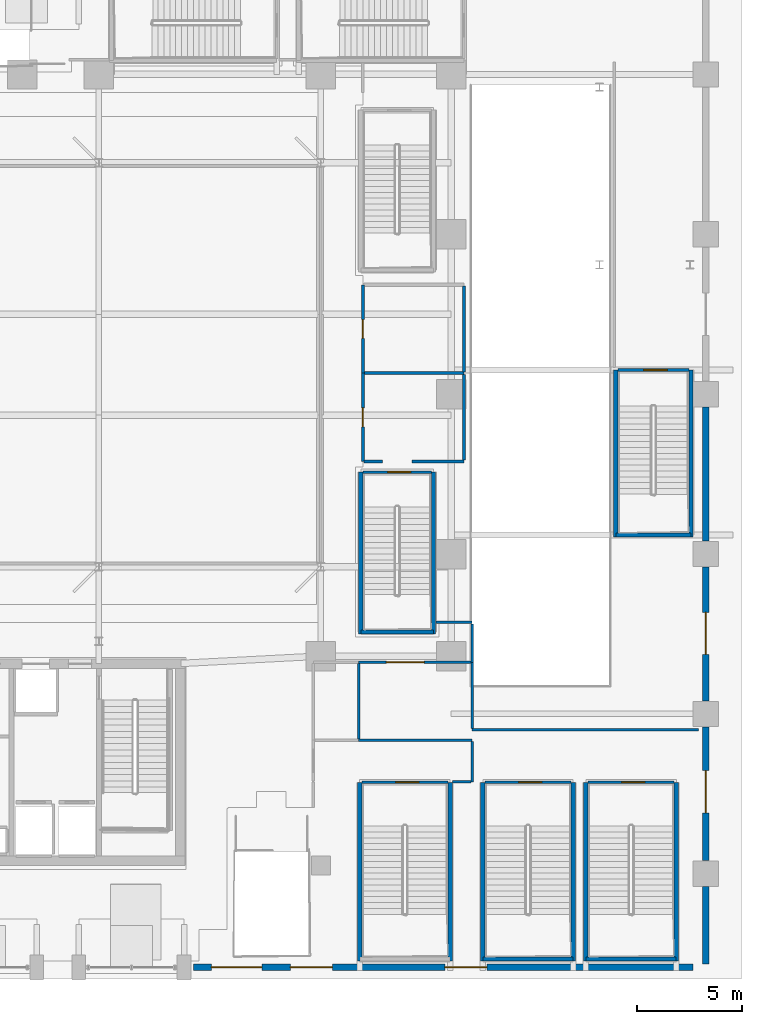
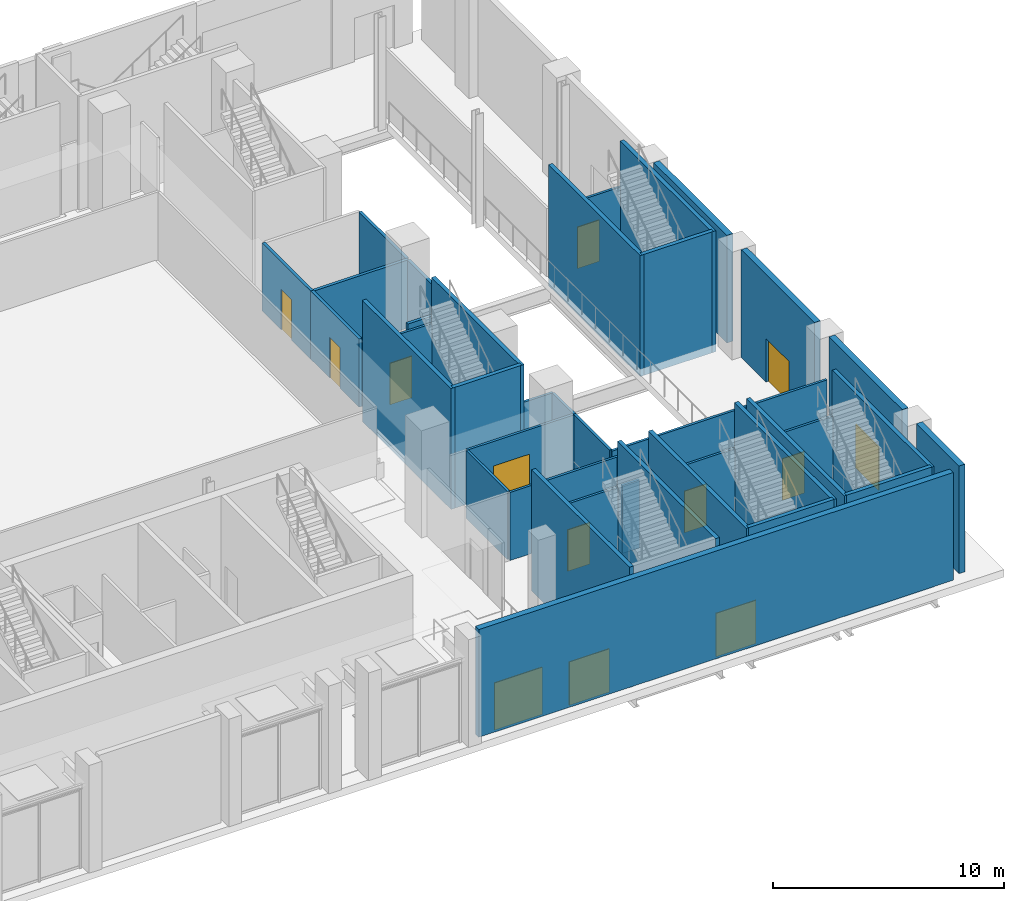
# One storey, part 22 of 36: 40 walls, 13 doors, 13 openings.
"""IFC4 building model written with IfcOpenShell, lengths in metres."""

from ifc_helpers import new_model, si_unit, direction, frame, frame_2d, origin, place, context, subcontext, project, spatial, rectangle, extrude, material, layer, layer_set, type_object, element, fill, save


model = new_model("IFC4")

# Units and contexts
model_context = context("Model", 3, precision=1e-05, world=origin(), true_north=direction((0.0, 1.0)))
body_context = subcontext(model_context, "Body", "Model", "MODEL_VIEW")
ifc_project = project(units=[si_unit("LENGTHUNIT", "METRE"), si_unit("AREAUNIT", "SQUARE_METRE"), si_unit("VOLUMEUNIT", "CUBIC_METRE"), si_unit("PLANEANGLEUNIT", "RADIAN"), si_unit("MASSUNIT", "GRAM", prefix="KILO")], contexts=[model_context])

# Site, building, storey
site_placement = place(None, origin())
site = spatial("IfcSite", under=ifc_project, at=site_placement, CompositionType="ELEMENT")
building_placement = place(site_placement, origin())
building = spatial("IfcBuilding", under=site, at=building_placement, Name="Ndaravel Arena Tower", CompositionType="ELEMENT")
storey_placement = place(building_placement, origin())
storey = spatial("IfcBuildingStorey", under=building, at=storey_placement, Name="L00", CompositionType="ELEMENT", Elevation=0.0)

# Walls
ifc_material_1 = material(Name="Gypsum", Category="gypsum")
ifc_layer_1 = layer(ifc_material_1, 0.125)
ifc_layer_set_1 = layer_set([ifc_layer_1], Name="Gypsum")
wall_type_1 = type_object("IfcWallType", Name="WALL-PART-125", PredefinedType="PARTITIONING", material=ifc_layer_set_1)
wall_1_placement = place(storey_placement, frame((69.47998046875, 16.949951171875, 0.0), z_axis=(0.0, 0.0, 1.0), x_axis=(1.0, 0.0, 0.0)))
element("IfcWall", 1, at=wall_1_placement, inside=storey, type_object=wall_type_1, Name="L00 Interior Partition 021", PredefinedType="PARTITIONING", context=body_context, shape_type="SweptSolid", body=[
    extrude(rectangle(XDim=1.719970703125, YDim=0.125, at=frame_2d((0.85986328125, 0.0))), origin(), (0.0, 0.0, 1.0), 3.60009765625),
])
wall_2_placement = place(storey_placement, frame((71.199951171875, 16.885009765625, 0.0), z_axis=(0.0, 0.0, 1.0), x_axis=(0.0, -1.0, 0.0)))
element("IfcWall", 2, at=wall_2_placement, inside=storey, type_object=wall_type_1, Name="L00 Interior Partition 022", PredefinedType="PARTITIONING", context=body_context, shape_type="SweptSolid", body=[
    extrude(rectangle(XDim=1.8349609375, YDim=0.125, at=frame_2d((0.91748046875, 0.0))), origin(), (0.0, 0.0, 1.0), 3.60009765625),
])

# Wall, opening, door
wall_3_placement = place(storey_placement, frame((71.135009765625, 15.050048828125, 0.0), z_axis=(0.0, 0.0, 1.0), x_axis=(-1.0, 0.0, 0.0)))
wall_3 = element("IfcWall", 3, at=wall_3_placement, inside=storey, type_object=wall_type_1, Name="L00 Interior Partition 023", PredefinedType="PARTITIONING", context=body_context, shape_type="SweptSolid", body=[
    extrude(rectangle(XDim=5.3349609375, YDim=0.125, at=frame_2d((2.66748046875, 0.0))), origin(), (0.0, 0.0, 1.0), 3.60009765625),
])
opening_1_placement = place(wall_3_placement, frame((2.217529296875, 0.0, 0.0)))
opening_1 = element("IfcOpeningElement", 4, at=opening_1_placement, cuts=wall_3, Name="Opening AD-01", PredefinedType="OPENING", context=body_context, shape_type="SweptSolid", body=[
    extrude(rectangle(XDim=1.800048828125, YDim=2.300048828125, at=frame_2d((0.89990234375, 1.14990234375))), frame((0.0, 0.0625, 0.0), z_axis=(0.0, -1.0, 0.0), x_axis=(1.0, 0.0, 0.0)), (0.0, 0.0, 1.0), 0.125),
])
ifc_material_2 = material(Name="Steel S355", Category="steel")
door_type_1 = type_object("IfcDoorType", Name="DT-10-ARENA-1800", OperationType="DOUBLE_DOOR_SINGLE_SWING", PredefinedType="DOOR", material=ifc_material_2)
door_1_placement = place(opening_1_placement, origin())
door_1 = element("IfcDoor", 5, at=door_1_placement, inside=storey, type_object=door_type_1, Name="L00 Arena Box Office & Accreditation Hall Door", OperationType="SINGLE_SWING_LEFT", OverallHeight=2.300048828125, OverallWidth=1.800048828125, PredefinedType="DOOR", context=body_context, shape_type="SweptSolid", body=[
    extrude(rectangle(XDim=1.800048828125, YDim=2.300048828125, at=frame_2d((0.89990234375, 1.14990234375))), frame((0.0, 0.02490234375, 0.0), z_axis=(0.0, -1.0, 0.0), x_axis=(1.0, 0.0, 0.0)), (0.0, 0.0, 1.0), 0.050048828125),
])
fill(opening_1, door_1)

# Walls
wall_4_placement = place(storey_placement, frame((65.800048828125, 11.35009765625, 0.0), z_axis=(0.0, 0.0, 1.0), x_axis=(1.0, 0.0, 0.0)))
element("IfcWall", 6, at=wall_4_placement, inside=storey, type_object=wall_type_1, Name="L00 Interior Partition 035", PredefinedType="PARTITIONING", context=body_context, shape_type="SweptSolid", body=[
    extrude(rectangle(XDim=5.39990234375, YDim=0.125, at=frame_2d((2.699951171875, 0.0))), origin(), (0.0, 0.0, 1.0), 3.60009765625),
])
wall_5_placement = place(storey_placement, frame((71.199951171875, 11.284912109375, 0.0), z_axis=(0.0, 0.0, 1.0), x_axis=(0.0, -1.0, 0.0)))
element("IfcWall", 7, at=wall_5_placement, inside=storey, type_object=wall_type_1, Name="L00 Interior Partition 036", PredefinedType="PARTITIONING", context=body_context, shape_type="SweptSolid", body=[
    extrude(rectangle(XDim=1.914794921875, YDim=0.125, at=frame_2d((0.95751953125, 0.0))), origin(), (0.0, 0.0, 1.0), 3.60009765625),
])
wall_6_placement = place(storey_placement, frame((71.135009765625, 9.3701171875, 0.0), z_axis=(0.0, 0.0, 1.0), x_axis=(-1.0, 0.0, 0.0)))
element("IfcWall", 8, at=wall_6_placement, inside=storey, type_object=wall_type_1, Name="L00 Interior Partition 037", PredefinedType="PARTITIONING", context=body_context, shape_type="SweptSolid", body=[
    extrude(rectangle(XDim=0.864990234375, YDim=0.125, at=frame_2d((0.4326171875, 0.0))), origin(), (0.0, 0.0, 1.0), 3.60009765625),
])
wall_7_placement = place(storey_placement, frame((71.199951171875, 11.85009765625, 0.0), z_axis=(0.0, 0.0, 1.0), x_axis=(1.0, 0.0, 0.0)))
element("IfcWall", 9, at=wall_7_placement, inside=storey, type_object=wall_type_1, Name="L00 Interior Partition 038", PredefinedType="PARTITIONING", context=body_context, shape_type="SweptSolid", body=[
    extrude(rectangle(XDim=10.75, YDim=0.125, at=frame_2d((5.375, 0.0))), origin(), (0.0, 0.0, 1.0), 3.60009765625),
])
wall_8_placement = place(storey_placement, frame((65.800048828125, 11.4150390625, 0.0), z_axis=(0.0, 0.0, 1.0), x_axis=(0.0, 1.0, 0.0)))
element("IfcWall", 10, at=wall_8_placement, inside=storey, type_object=wall_type_1, Name="L00 Interior Partition 048", PredefinedType="PARTITIONING", context=body_context, shape_type="SweptSolid", body=[
    extrude(rectangle(XDim=3.570068359375, YDim=0.125, at=frame_2d((1.78515625, 0.0))), origin(), (0.0, 0.0, 1.0), 3.60009765625),
])
wall_9_placement = place(storey_placement, frame((71.199951171875, 15.050048828125, 0.0), z_axis=(0.0, 0.0, 1.0), x_axis=(0.0, -1.0, 0.0)))
element("IfcWall", 11, at=wall_9_placement, inside=storey, type_object=wall_type_1, Name="L00 Interior Partition 049", PredefinedType="PARTITIONING", context=body_context, shape_type="SweptSolid", body=[
    extrude(rectangle(XDim=3.135009765625, YDim=0.125, at=frame_2d((1.5673828125, 0.0))), origin(), (0.0, 0.0, 1.0), 3.60009765625),
])

# Wall, openings, doors
ifc_material_3 = material(Name="Masonry", Category="masonry")
ifc_layer_2 = layer(ifc_material_3, 0.300048828125)
ifc_layer_set_2 = layer_set([ifc_layer_2], Name="Masonry")
wall_type_2 = type_object("IfcWallType", Name="WALL-POD-MAZERAS-300", PredefinedType="SOLIDWALL", material=ifc_layer_set_2)
wall_10_placement = place(storey_placement, frame((81.699951171875, 0.550048828125, 0.0), z_axis=(0.0, 0.0, 1.0), x_axis=(-1.0, 0.0, 0.0)))
wall_10 = element("IfcWall", 12, at=wall_10_placement, inside=storey, type_object=wall_type_2, Name="L00 South-East Mazeras Stone Wall", PredefinedType="SOLIDWALL", context=body_context, shape_type="SweptSolid", body=[
    extrude(rectangle(XDim=23.75, YDim=0.300048828125, at=frame_2d((11.875, 0.0))), origin(), (0.0, 0.0, 1.0), 5.699951171875),
])
opening_2_placement = place(wall_10_placement, frame((20.5, 0.0, 0.0)))
opening_2 = element("IfcOpeningElement", 13, at=opening_2_placement, cuts=wall_10, Name="Opening ED-02", PredefinedType="OPENING", context=body_context, shape_type="SweptSolid", body=[
    extrude(rectangle(XDim=2.39990234375, YDim=2.5, at=frame_2d((1.199951171875, 1.25))), frame((0.0, 0.14990234375, 0.0), z_axis=(0.0, -1.0, 0.0), x_axis=(1.0, 0.0, 0.0)), (0.0, 0.0, 1.0), 0.300048828125),
])
opening_3_placement = place(wall_10_placement, frame((17.14990234375, 0.0, 0.0)))
opening_3 = element("IfcOpeningElement", 14, at=opening_3_placement, cuts=wall_10, Name="Opening ED-04", PredefinedType="OPENING", context=body_context, shape_type="SweptSolid", body=[
    extrude(rectangle(XDim=2.0, YDim=2.300048828125, at=frame_2d((1.0, 1.14990234375))), frame((0.0, 0.14990234375, 0.0), z_axis=(0.0, -1.0, 0.0), x_axis=(1.0, 0.0, 0.0)), (0.0, 0.0, 1.0), 0.300048828125),
])
opening_4_placement = place(wall_10_placement, frame((9.800048828125, 0.0, 0.0)))
opening_4 = element("IfcOpeningElement", 15, at=opening_4_placement, cuts=wall_10, Name="Opening ED-04", PredefinedType="OPENING", context=body_context, shape_type="SweptSolid", body=[
    extrude(rectangle(XDim=2.0, YDim=2.300048828125, at=frame_2d((1.0, 1.14990234375))), frame((0.0, 0.14990234375, 0.0), z_axis=(0.0, -1.0, 0.0), x_axis=(1.0, 0.0, 0.0)), (0.0, 0.0, 1.0), 0.300048828125),
])
ifc_material_4 = material(Name="Aluminium", Category="aluminium")
door_type_2 = type_object("IfcDoorType", Name="ED-ARENA-2400", OperationType="DOUBLE_DOOR_SINGLE_SWING", PredefinedType="DOOR", material=ifc_material_4)
door_2_placement = place(opening_2_placement, origin())
door_2 = element("IfcDoor", 16, at=door_2_placement, inside=storey, type_object=door_type_2, Name="Fire Command & East Concourse Entrance", OperationType="DOUBLE_DOOR_SINGLE_SWING", OverallHeight=2.5, OverallWidth=2.39990234375, PredefinedType="DOOR", context=body_context, shape_type="SweptSolid", body=[
    extrude(rectangle(XDim=2.39990234375, YDim=2.5, at=frame_2d((1.199951171875, 1.25))), frame((0.0, 0.02490234375, 0.0), z_axis=(0.0, -1.0, 0.0), x_axis=(1.0, 0.0, 0.0)), (0.0, 0.0, 1.0), 0.050048828125),
])
fill(opening_2, door_2)
ifc_material_5 = material(Name="Aluminium", Category="aluminium")
door_type_3 = type_object("IfcDoorType", Name="ED-EXIT-2000", OperationType="DOUBLE_DOOR_SINGLE_SWING", PredefinedType="DOOR", material=ifc_material_5)
door_3_placement = place(opening_3_placement, origin())
door_3 = element("IfcDoor", 17, at=door_3_placement, inside=storey, type_object=door_type_3, Name="South-East Concourse Exit Discharge", OperationType="DOUBLE_DOOR_SINGLE_SWING", OverallHeight=2.300048828125, OverallWidth=2.0, PredefinedType="DOOR", context=body_context, shape_type="SweptSolid", body=[
    extrude(rectangle(XDim=2.0, YDim=2.300048828125, at=frame_2d((1.0, 1.14990234375))), frame((0.0, 0.02490234375, 0.0), z_axis=(0.0, -1.0, 0.0), x_axis=(1.0, 0.0, 0.0)), (0.0, 0.0, 1.0), 0.050048828125),
])
fill(opening_3, door_3)
door_4_placement = place(opening_4_placement, origin())
door_4 = element("IfcDoor", 18, at=door_4_placement, inside=storey, type_object=door_type_3, Name="Protected Exit Passageway ST-A04 Final Discharge", OperationType="DOUBLE_DOOR_SINGLE_SWING", OverallHeight=2.300048828125, OverallWidth=2.0, PredefinedType="DOOR", context=body_context, shape_type="SweptSolid", body=[
    extrude(rectangle(XDim=2.0, YDim=2.300048828125, at=frame_2d((1.0, 1.14990234375))), frame((0.0, 0.02490234375, 0.0), z_axis=(0.0, -1.0, 0.0), x_axis=(1.0, 0.0, 0.0)), (0.0, 0.0, 1.0), 0.050048828125),
])
fill(opening_4, door_4)

# Wall
wall_11_placement = place(storey_placement, frame((82.300048828125, 4.39990234375, 0.0), z_axis=(0.0, 0.0, 1.0), x_axis=(0.0, -1.0, 0.0)))
element("IfcWall", 19, at=wall_11_placement, inside=storey, type_object=wall_type_2, Name="L00 East Mazeras Bay 1", PredefinedType="SOLIDWALL", context=body_context, shape_type="SweptSolid", body=[
    extrude(rectangle(XDim=3.699951171875, YDim=0.300048828125, at=frame_2d((1.85009765625, 0.0))), origin(), (0.0, 0.0, 1.0), 5.699951171875),
])

# Wall, opening, door
wall_12_placement = place(storey_placement, frame((82.300048828125, 11.97998046875, 0.0), z_axis=(0.0, 0.0, 1.0), x_axis=(0.0, -1.0, 0.0)))
wall_12 = element("IfcWall", 20, at=wall_12_placement, inside=storey, type_object=wall_type_2, Name="L00 East Mazeras Bay 2", PredefinedType="SOLIDWALL", context=body_context, shape_type="SweptSolid", body=[
    extrude(rectangle(XDim=6.35986328125, YDim=0.300048828125, at=frame_2d((3.179931640625, 0.0))), origin(), (0.0, 0.0, 1.0), 5.699951171875),
])
opening_5_placement = place(wall_12_placement, frame((2.080078125, 0.0, 0.0)))
opening_5 = element("IfcOpeningElement", 21, at=opening_5_placement, cuts=wall_12, Name="Opening ED-04", PredefinedType="OPENING", context=body_context, shape_type="SweptSolid", body=[
    extrude(rectangle(XDim=2.0, YDim=2.300048828125, at=frame_2d((1.0, 1.14990234375))), frame((0.0, 0.14990234375, 0.0), z_axis=(0.0, -1.0, 0.0), x_axis=(1.0, 0.0, 0.0)), (0.0, 0.0, 1.0), 0.300048828125),
])
door_5_placement = place(opening_5_placement, origin())
door_5 = element("IfcDoor", 22, at=door_5_placement, inside=storey, type_object=door_type_3, Name="Protected Passageway ST-A05 and ST-A06 Final Exit Door", OperationType="DOUBLE_DOOR_SINGLE_SWING", OverallHeight=2.300048828125, OverallWidth=2.0, PredefinedType="DOOR", context=body_context, shape_type="SweptSolid", body=[
    extrude(rectangle(XDim=2.0, YDim=2.300048828125, at=frame_2d((1.0, 1.14990234375))), frame((0.0, 0.02490234375, 0.0), z_axis=(0.0, -1.0, 0.0), x_axis=(1.0, 0.0, 0.0)), (0.0, 0.0, 1.0), 0.050048828125),
])
fill(opening_5, door_5)

wall_13_placement = place(storey_placement, frame((82.300048828125, 19.580078125, 0.0), z_axis=(0.0, 0.0, 1.0), x_axis=(0.0, -1.0, 0.0)))
wall_13 = element("IfcWall", 23, at=wall_13_placement, inside=storey, type_object=wall_type_2, Name="L00 East Mazeras Bay 3", PredefinedType="SOLIDWALL", context=body_context, shape_type="SweptSolid", body=[
    extrude(rectangle(XDim=6.360107421875, YDim=0.300048828125, at=frame_2d((3.18017578125, 0.0))), origin(), (0.0, 0.0, 1.0), 5.699951171875),
])
opening_6_placement = place(wall_13_placement, frame((2.14990234375, 0.0, 0.0)))
opening_6 = element("IfcOpeningElement", 24, at=opening_6_placement, cuts=wall_13, Name="Opening ED-04", PredefinedType="OPENING", context=body_context, shape_type="SweptSolid", body=[
    extrude(rectangle(XDim=2.0, YDim=2.300048828125, at=frame_2d((1.0, 1.14990234375))), frame((0.0, 0.14990234375, 0.0), z_axis=(0.0, -1.0, 0.0), x_axis=(1.0, 0.0, 0.0)), (0.0, 0.0, 1.0), 0.300048828125),
])
door_6_placement = place(opening_6_placement, origin())
door_6 = element("IfcDoor", 25, at=door_6_placement, inside=storey, type_object=door_type_3, Name="East Concourse Street Exit Door", OperationType="DOUBLE_DOOR_SINGLE_SWING", OverallHeight=2.300048828125, OverallWidth=2.0, PredefinedType="DOOR", context=body_context, shape_type="SweptSolid", body=[
    extrude(rectangle(XDim=2.0, YDim=2.300048828125, at=frame_2d((1.0, 1.14990234375))), frame((0.0, 0.02490234375, 0.0), z_axis=(0.0, -1.0, 0.0), x_axis=(1.0, 0.0, 0.0)), (0.0, 0.0, 1.0), 0.050048828125),
])
fill(opening_6, door_6)

# Wall
wall_14_placement = place(storey_placement, frame((82.300048828125, 27.179931640625, 0.0), z_axis=(0.0, 0.0, 1.0), x_axis=(0.0, -1.0, 0.0)))
element("IfcWall", 26, at=wall_14_placement, inside=storey, type_object=wall_type_2, Name="L00 East Mazeras Bay 4", PredefinedType="SOLIDWALL", context=body_context, shape_type="SweptSolid", body=[
    extrude(rectangle(XDim=6.35986328125, YDim=0.300048828125, at=frame_2d((3.179931640625, 0.0))), origin(), (0.0, 0.0, 1.0), 5.699951171875),
])

# Wall, opening, door
ifc_material_6 = material(Name="Concrete C40/50", Category="concrete")
ifc_layer_3 = layer(ifc_material_6, 0.1201171875)
ifc_layer_set_3 = layer_set([ifc_layer_3], Name="Concrete C40/50")
wall_type_3 = type_object("IfcWallType", Name="WALL-SHAFT-120", PredefinedType="SOLIDWALL", material=ifc_layer_set_3)
wall_15_placement = place(storey_placement, frame((65.955078125, 9.35009765625, 0.0), z_axis=(0.0, 0.0, 1.0), x_axis=(1.0, 0.0, 0.0)))
wall_15 = element("IfcWall", 27, at=wall_15_placement, inside=storey, type_object=wall_type_3, Name="L00 ST-A04 Entry Wall", PredefinedType="SOLIDWALL", context=body_context, shape_type="SweptSolid", body=[
    extrude(rectangle(XDim=4.08984375, YDim=0.1201171875, at=frame_2d((2.044921875, 0.0))), origin(), (0.0, 0.0, 1.0), 3.60009765625),
])
opening_7_placement = place(wall_15_placement, frame((1.60009765625, 0.0, 0.0)))
opening_7 = element("IfcOpeningElement", 28, at=opening_7_placement, cuts=wall_15, Name="Opening FD-01", PredefinedType="OPENING", context=body_context, shape_type="SweptSolid", body=[
    extrude(rectangle(XDim=1.10009765625, YDim=2.199951171875, at=frame_2d((0.550048828125, 1.10009765625))), frame((0.0, 0.06005859375, 0.0), z_axis=(0.0, -1.0, 0.0), x_axis=(1.0, 0.0, 0.0)), (0.0, 0.0, 1.0), 0.1201171875),
])
ifc_material_7 = material(Name="Steel S355", Category="steel")
door_type_4 = type_object("IfcDoorType", Name="DT-01-STAIR-1100", OperationType="SINGLE_SWING_LEFT", PredefinedType="DOOR", material=ifc_material_7)
door_7_placement = place(opening_7_placement, origin())
door_7 = element("IfcDoor", 29, at=door_7_placement, inside=storey, type_object=door_type_4, Name="L00 ST-A04 Fire Exit Stair Door", OperationType="SINGLE_SWING_LEFT", OverallHeight=2.199951171875, OverallWidth=1.10009765625, PredefinedType="DOOR", context=body_context, shape_type="SweptSolid", body=[
    extrude(rectangle(XDim=1.10009765625, YDim=2.199951171875, at=frame_2d((0.550048828125, 1.10009765625))), frame((0.0, 0.02490234375, 0.0), z_axis=(0.0, -1.0, 0.0), x_axis=(1.0, 0.0, 0.0)), (0.0, 0.0, 1.0), 0.050048828125),
])
fill(opening_7, door_7)

wall_16_placement = place(storey_placement, frame((71.804931640625, 9.35009765625, 0.0), z_axis=(0.0, 0.0, 1.0), x_axis=(1.0, 0.0, 0.0)))
wall_16 = element("IfcWall", 30, at=wall_16_placement, inside=storey, type_object=wall_type_3, Name="L00 ST-A05 Entry Wall", PredefinedType="SOLIDWALL", context=body_context, shape_type="SweptSolid", body=[
    extrude(rectangle(XDim=4.090087890625, YDim=0.1201171875, at=frame_2d((2.044921875, 0.0))), origin(), (0.0, 0.0, 1.0), 3.60009765625),
])
opening_8_placement = place(wall_16_placement, frame((1.60009765625, 0.0, 0.0)))
opening_8 = element("IfcOpeningElement", 31, at=opening_8_placement, cuts=wall_16, Name="Opening FD-01", PredefinedType="OPENING", context=body_context, shape_type="SweptSolid", body=[
    extrude(rectangle(XDim=1.10009765625, YDim=2.199951171875, at=frame_2d((0.550048828125, 1.10009765625))), frame((0.0, 0.06005859375, 0.0), z_axis=(0.0, -1.0, 0.0), x_axis=(1.0, 0.0, 0.0)), (0.0, 0.0, 1.0), 0.1201171875),
])
door_8_placement = place(opening_8_placement, origin())
door_8 = element("IfcDoor", 32, at=door_8_placement, inside=storey, type_object=door_type_4, Name="L00 ST-A05 Fire Exit Stair Door", OperationType="SINGLE_SWING_LEFT", OverallHeight=2.199951171875, OverallWidth=1.10009765625, PredefinedType="DOOR", context=body_context, shape_type="SweptSolid", body=[
    extrude(rectangle(XDim=1.10009765625, YDim=2.199951171875, at=frame_2d((0.550048828125, 1.10009765625))), frame((0.0, 0.02490234375, 0.0), z_axis=(0.0, -1.0, 0.0), x_axis=(1.0, 0.0, 0.0)), (0.0, 0.0, 1.0), 0.050048828125),
])
fill(opening_8, door_8)

wall_17_placement = place(storey_placement, frame((76.705078125, 9.35009765625, 0.0), z_axis=(0.0, 0.0, 1.0), x_axis=(1.0, 0.0, 0.0)))
wall_17 = element("IfcWall", 33, at=wall_17_placement, inside=storey, type_object=wall_type_3, Name="L00 ST-A06 Entry Wall", PredefinedType="SOLIDWALL", context=body_context, shape_type="SweptSolid", body=[
    extrude(rectangle(XDim=4.08984375, YDim=0.1201171875, at=frame_2d((2.044921875, 0.0))), origin(), (0.0, 0.0, 1.0), 3.60009765625),
])
opening_9_placement = place(wall_17_placement, frame((1.60009765625, 0.0, 0.0)))
opening_9 = element("IfcOpeningElement", 34, at=opening_9_placement, cuts=wall_17, Name="Opening FD-01", PredefinedType="OPENING", context=body_context, shape_type="SweptSolid", body=[
    extrude(rectangle(XDim=1.10009765625, YDim=2.199951171875, at=frame_2d((0.550048828125, 1.10009765625))), frame((0.0, 0.06005859375, 0.0), z_axis=(0.0, -1.0, 0.0), x_axis=(1.0, 0.0, 0.0)), (0.0, 0.0, 1.0), 0.1201171875),
])
door_9_placement = place(opening_9_placement, origin())
door_9 = element("IfcDoor", 35, at=door_9_placement, inside=storey, type_object=door_type_4, Name="L00 ST-A06 Fire Exit Stair Door", OperationType="SINGLE_SWING_LEFT", OverallHeight=2.199951171875, OverallWidth=1.10009765625, PredefinedType="DOOR", context=body_context, shape_type="SweptSolid", body=[
    extrude(rectangle(XDim=1.10009765625, YDim=2.199951171875, at=frame_2d((0.550048828125, 1.10009765625))), frame((0.0, 0.02490234375, 0.0), z_axis=(0.0, -1.0, 0.0), x_axis=(1.0, 0.0, 0.0)), (0.0, 0.0, 1.0), 0.050048828125),
])
fill(opening_9, door_9)

wall_18_placement = place(storey_placement, frame((78.125, 28.949951171875, 0.0), z_axis=(0.0, 0.0, 1.0), x_axis=(1.0, 0.0, 0.0)))
wall_18 = element("IfcWall", 36, at=wall_18_placement, inside=storey, type_object=wall_type_3, Name="L00 ST-A12 Entry Wall", PredefinedType="SOLIDWALL", context=body_context, shape_type="SweptSolid", body=[
    extrude(rectangle(XDim=3.3701171875, YDim=0.1201171875, at=frame_2d((1.68505859375, 0.0))), origin(), (0.0, 0.0, 1.0), 3.60009765625),
])
opening_10_placement = place(wall_18_placement, frame((1.239990234375, 0.0, 0.0)))
opening_10 = element("IfcOpeningElement", 37, at=opening_10_placement, cuts=wall_18, Name="Opening FD-01", PredefinedType="OPENING", context=body_context, shape_type="SweptSolid", body=[
    extrude(rectangle(XDim=1.10009765625, YDim=2.199951171875, at=frame_2d((0.550048828125, 1.10009765625))), frame((0.0, 0.06005859375, 0.0), z_axis=(0.0, -1.0, 0.0), x_axis=(1.0, 0.0, 0.0)), (0.0, 0.0, 1.0), 0.1201171875),
])
door_10_placement = place(opening_10_placement, origin())
door_10 = element("IfcDoor", 38, at=door_10_placement, inside=storey, type_object=door_type_4, Name="L00 ST-A12 Fire Exit Stair Door", OperationType="SINGLE_SWING_LEFT", OverallHeight=2.199951171875, OverallWidth=1.10009765625, PredefinedType="DOOR", context=body_context, shape_type="SweptSolid", body=[
    extrude(rectangle(XDim=1.10009765625, YDim=2.199951171875, at=frame_2d((0.550048828125, 1.10009765625))), frame((0.0, 0.02490234375, 0.0), z_axis=(0.0, -1.0, 0.0), x_axis=(1.0, 0.0, 0.0)), (0.0, 0.0, 1.0), 0.050048828125),
])
fill(opening_10, door_10)

wall_19_placement = place(storey_placement, frame((66.0048828125, 24.10009765625, 0.0), z_axis=(0.0, 0.0, 1.0), x_axis=(1.0, 0.0, 0.0)))
wall_19 = element("IfcWall", 39, at=wall_19_placement, inside=storey, type_object=wall_type_3, Name="L00 ST-VOM-3 Entry Wall", PredefinedType="SOLIDWALL", context=body_context, shape_type="SweptSolid", body=[
    extrude(rectangle(XDim=3.25, YDim=0.1201171875, at=frame_2d((1.625, 0.0))), origin(), (0.0, 0.0, 1.0), 3.60009765625),
])
opening_11_placement = place(wall_19_placement, frame((1.179931640625, 0.0, 0.0)))
opening_11 = element("IfcOpeningElement", 40, at=opening_11_placement, cuts=wall_19, Name="Opening FD-01", PredefinedType="OPENING", context=body_context, shape_type="SweptSolid", body=[
    extrude(rectangle(XDim=1.10009765625, YDim=2.199951171875, at=frame_2d((0.550048828125, 1.10009765625))), frame((0.0, 0.06005859375, 0.0), z_axis=(0.0, -1.0, 0.0), x_axis=(1.0, 0.0, 0.0)), (0.0, 0.0, 1.0), 0.1201171875),
])
door_11_placement = place(opening_11_placement, origin())
door_11 = element("IfcDoor", 41, at=door_11_placement, inside=storey, type_object=door_type_4, Name="L00 ST-VOM-3 Fire Exit Stair Door", OperationType="SINGLE_SWING_LEFT", OverallHeight=2.199951171875, OverallWidth=1.10009765625, PredefinedType="DOOR", context=body_context, shape_type="SweptSolid", body=[
    extrude(rectangle(XDim=1.10009765625, YDim=2.199951171875, at=frame_2d((0.550048828125, 1.10009765625))), frame((0.0, 0.02490234375, 0.0), z_axis=(0.0, -1.0, 0.0), x_axis=(1.0, 0.0, 0.0)), (0.0, 0.0, 1.0), 0.050048828125),
])
fill(opening_11, door_11)

# Walls
ifc_material_8 = material(Name="Concrete C40/50", Category="concrete")
ifc_layer_4 = layer(ifc_material_8, 0.199951171875)
ifc_layer_set_4 = layer_set([ifc_layer_4], Name="Concrete C40/50")
wall_type_4 = type_object("IfcWallType", Name="WALL-SHAFT-200", PredefinedType="SOLIDWALL", material=ifc_layer_set_4)
for number, where, z_axis, x_axis, name in (
    (42, (65.85009765625, 9.35009765625, -0.39990234375), (0.0, 0.0, 1.0), (0.0, -1.0, 0.0), "L00 ST-A04 Shaft Wall Left"),
    (43, (70.14990234375, 9.35009765625, -0.39990234375), (0.0, 0.0, 1.0), (0.0, -1.0, 0.0), "L00 ST-A04 Shaft Wall Right"),
    (44, (71.699951171875, 9.35009765625, -0.39990234375), (0.0, 0.0, 1.0), (0.0, -1.0, 0.0), "L00 ST-A05 Shaft Wall Left"),
    (45, (76.0, 9.35009765625, -0.39990234375), (0.0, 0.0, 1.0), (0.0, -1.0, 0.0), "L00 ST-A05 Shaft Wall Right"),
):
    element("IfcWall", number, at=place(storey_placement, frame(where, z_axis=z_axis, x_axis=x_axis)), inside=storey, type_object=wall_type_4, Name=name, PredefinedType="SOLIDWALL", context=body_context, shape_type="SweptSolid", body=[
        extrude(rectangle(XDim=8.5, YDim=0.199951171875, at=frame_2d((4.25, 0.0))), origin(), (0.0, 0.0, 1.0), 6.39990234375),
    ])
wall_20_placement = place(storey_placement, frame((71.7099609375, 0.949951171875, -0.39990234375), z_axis=(0.0, 0.0, 1.0), x_axis=(1.0, 0.0, 0.0)))
element("IfcWall", 46, at=wall_20_placement, inside=storey, type_object=wall_type_4, Name="L00 ST-A05 Shaft Wall Far", PredefinedType="SOLIDWALL", context=body_context, shape_type="SweptSolid", body=[
    extrude(rectangle(XDim=4.280029296875, YDim=0.199951171875, at=frame_2d((2.14013671875, 0.0))), origin(), (0.0, 0.0, 1.0), 6.39990234375),
])
for number, where, z_axis, x_axis, name in (
    (47, (76.60009765625, 9.35009765625, -0.39990234375), (0.0, 0.0, 1.0), (0.0, -1.0, 0.0), "L00 ST-A06 Shaft Wall Left"),
    (48, (80.89990234375, 9.35009765625, -0.39990234375), (0.0, 0.0, 1.0), (0.0, -1.0, 0.0), "L00 ST-A06 Shaft Wall Right"),
):
    element("IfcWall", number, at=place(storey_placement, frame(where, z_axis=z_axis, x_axis=x_axis)), inside=storey, type_object=wall_type_4, Name=name, PredefinedType="SOLIDWALL", context=body_context, shape_type="SweptSolid", body=[
        extrude(rectangle(XDim=8.5, YDim=0.199951171875, at=frame_2d((4.25, 0.0))), origin(), (0.0, 0.0, 1.0), 6.39990234375),
    ])
wall_21_placement = place(storey_placement, frame((76.610107421875, 0.949951171875, -0.39990234375), z_axis=(0.0, 0.0, 1.0), x_axis=(1.0, 0.0, 0.0)))
element("IfcWall", 49, at=wall_21_placement, inside=storey, type_object=wall_type_4, Name="L00 ST-A06 Shaft Wall Far", PredefinedType="SOLIDWALL", context=body_context, shape_type="SweptSolid", body=[
    extrude(rectangle(XDim=4.27978515625, YDim=0.199951171875, at=frame_2d((2.139892578125, 0.0))), origin(), (0.0, 0.0, 1.0), 6.39990234375),
])
for number, where, z_axis, x_axis, name in (
    (50, (78.02001953125, 28.949951171875, -0.39990234375), (0.0, 0.0, 1.0), (0.0, -1.0, 0.0), "L00 ST-A12 Shaft Wall Left"),
    (51, (81.60009765625, 28.949951171875, -0.39990234375), (0.0, 0.0, 1.0), (0.0, -1.0, 0.0), "L00 ST-A12 Shaft Wall Right"),
):
    element("IfcWall", number, at=place(storey_placement, frame(where, z_axis=z_axis, x_axis=x_axis)), inside=storey, type_object=wall_type_4, Name=name, PredefinedType="SOLIDWALL", context=body_context, shape_type="SweptSolid", body=[
        extrude(rectangle(XDim=7.949951171875, YDim=0.199951171875, at=frame_2d((3.97509765625, 0.0))), origin(), (0.0, 0.0, 1.0), 6.39990234375),
    ])
wall_22_placement = place(storey_placement, frame((78.030029296875, 21.10009765625, -0.39990234375), z_axis=(0.0, 0.0, 1.0), x_axis=(1.0, 0.0, 0.0)))
element("IfcWall", 52, at=wall_22_placement, inside=storey, type_object=wall_type_4, Name="L00 ST-A12 Shaft Wall Far", PredefinedType="SOLIDWALL", context=body_context, shape_type="SweptSolid", body=[
    extrude(rectangle(XDim=3.56005859375, YDim=0.199951171875, at=frame_2d((1.780029296875, 0.0))), origin(), (0.0, 0.0, 1.0), 6.39990234375),
])
for number, where, z_axis, x_axis, name in (
    (53, (65.89990234375, 24.10009765625, -0.39990234375), (0.0, 0.0, 1.0), (0.0, -1.0, 0.0), "L00 ST-VOM-3 Shaft Wall Left"),
    (54, (69.360107421875, 24.10009765625, -0.39990234375), (0.0, 0.0, 1.0), (0.0, -1.0, 0.0), "L00 ST-VOM-3 Shaft Wall Right"),
):
    element("IfcWall", number, at=place(storey_placement, frame(where, z_axis=z_axis, x_axis=x_axis)), inside=storey, type_object=wall_type_4, Name=name, PredefinedType="SOLIDWALL", context=body_context, shape_type="SweptSolid", body=[
        extrude(rectangle(XDim=7.7001953125, YDim=0.199951171875, at=frame_2d((3.85009765625, 0.0))), origin(), (0.0, 0.0, 1.0), 6.39990234375),
    ])
wall_23_placement = place(storey_placement, frame((65.909912109375, 16.5, -0.39990234375), z_axis=(0.0, 0.0, 1.0), x_axis=(1.0, 0.0, 0.0)))
element("IfcWall", 55, at=wall_23_placement, inside=storey, type_object=wall_type_4, Name="L00 ST-VOM-3 Shaft Wall Far", PredefinedType="SOLIDWALL", context=body_context, shape_type="SweptSolid", body=[
    extrude(rectangle(XDim=3.440185546875, YDim=0.199951171875, at=frame_2d((1.72021484375, 0.0))), origin(), (0.0, 0.0, 1.0), 6.39990234375),
])

# Wall, opening, door
ifc_material_9 = material(Name="Masonry", Category="masonry")
ifc_layer_5 = layer(ifc_material_9, 0.14990234375)
ifc_layer_set_5 = layer_set([ifc_layer_5], Name="Masonry")
wall_type_5 = type_object("IfcWallType", Name="WALL-WET-150", PredefinedType="PARTITIONING", material=ifc_layer_set_5)
wall_24_placement = place(storey_placement, frame((66.0, 33.0, 0.0), z_axis=(0.0, 0.0, 1.0), x_axis=(0.0, -1.0, 0.0)))
wall_24 = element("IfcWall", 56, at=wall_24_placement, inside=storey, type_object=wall_type_5, Name="L00 Interior Partition 019", PredefinedType="PARTITIONING", context=body_context, shape_type="SweptSolid", body=[
    extrude(rectangle(XDim=4.199951171875, YDim=0.14990234375, at=frame_2d((2.10009765625, 0.0))), origin(), (0.0, 0.0, 1.0), 3.60009765625),
])
opening_12_placement = place(wall_24_placement, frame((1.64990234375, 0.0, 0.0)))
opening_12 = element("IfcOpeningElement", 57, at=opening_12_placement, cuts=wall_24, Name="Opening WD-01", PredefinedType="OPENING", context=body_context, shape_type="SweptSolid", body=[
    extrude(rectangle(XDim=0.89990234375, YDim=2.14990234375, at=frame_2d((0.449951171875, 1.074951171875))), frame((0.0, 0.074951171875, 0.0), z_axis=(0.0, -1.0, 0.0), x_axis=(1.0, 0.0, 0.0)), (0.0, 0.0, 1.0), 0.14990234375),
])
ifc_material_10 = material(Name="Timber", Category="wood")
door_type_5 = type_object("IfcDoorType", Name="DT-05-WC-900", OperationType="SINGLE_SWING_LEFT", PredefinedType="DOOR", material=ifc_material_10)
door_12_placement = place(opening_12_placement, origin())
door_12 = element("IfcDoor", 58, at=door_12_placement, inside=storey, type_object=door_type_5, Name="L00 Ground Female Public Restroom Door", OperationType="SINGLE_SWING_LEFT", OverallHeight=2.14990234375, OverallWidth=0.89990234375, PredefinedType="DOOR", context=body_context, shape_type="SweptSolid", body=[
    extrude(rectangle(XDim=0.89990234375, YDim=2.14990234375, at=frame_2d((0.449951171875, 1.074951171875))), frame((0.0, 0.02490234375, 0.0), z_axis=(0.0, -1.0, 0.0), x_axis=(1.0, 0.0, 0.0)), (0.0, 0.0, 1.0), 0.050048828125),
])
fill(opening_12, door_12)

wall_25_placement = place(storey_placement, frame((66.0, 28.800048828125, 0.0), z_axis=(0.0, 0.0, 1.0), x_axis=(0.0, -1.0, 0.0)))
wall_25 = element("IfcWall", 59, at=wall_25_placement, inside=storey, type_object=wall_type_5, Name="L00 Interior Partition 020", PredefinedType="PARTITIONING", context=body_context, shape_type="SweptSolid", body=[
    extrude(rectangle(XDim=4.199951171875, YDim=0.14990234375, at=frame_2d((2.10009765625, 0.0))), origin(), (0.0, 0.0, 1.0), 3.60009765625),
])
opening_13_placement = place(wall_25_placement, frame((1.64990234375, 0.0, 0.0)))
opening_13 = element("IfcOpeningElement", 60, at=opening_13_placement, cuts=wall_25, Name="Opening WD-01", PredefinedType="OPENING", context=body_context, shape_type="SweptSolid", body=[
    extrude(rectangle(XDim=0.89990234375, YDim=2.14990234375, at=frame_2d((0.449951171875, 1.074951171875))), frame((0.0, 0.074951171875, 0.0), z_axis=(0.0, -1.0, 0.0), x_axis=(1.0, 0.0, 0.0)), (0.0, 0.0, 1.0), 0.14990234375),
])
door_13_placement = place(opening_13_placement, origin())
door_13 = element("IfcDoor", 61, at=door_13_placement, inside=storey, type_object=door_type_5, Name="L00 Ground Male Public Restroom Door", OperationType="SINGLE_SWING_RIGHT", OverallHeight=2.14990234375, OverallWidth=0.89990234375, PredefinedType="DOOR", context=body_context, shape_type="SweptSolid", body=[
    extrude(rectangle(XDim=0.89990234375, YDim=2.14990234375, at=frame_2d((0.449951171875, 1.074951171875))), frame((0.0, 0.02490234375, 0.0), z_axis=(0.0, -1.0, 0.0), x_axis=(1.0, 0.0, 0.0)), (0.0, 0.0, 1.0), 0.050048828125),
])
fill(opening_13, door_13)

# Walls
wall_26_placement = place(storey_placement, frame((70.800048828125, 24.60009765625, 0.0), z_axis=(0.0, 0.0, 1.0), x_axis=(-1.0, 0.0, 0.0)))
element("IfcWall", 62, at=wall_26_placement, inside=storey, type_object=wall_type_5, Name="L00 Interior Partition 056", PredefinedType="PARTITIONING", context=body_context, shape_type="SweptSolid", body=[
    extrude(rectangle(XDim=2.469970703125, YDim=0.14990234375, at=frame_2d((1.23486328125, 0.0))), origin(), (0.0, 0.0, 1.0), 3.60009765625),
])
wall_27_placement = place(storey_placement, frame((66.929931640625, 24.60009765625, 0.0), z_axis=(0.0, 0.0, 1.0), x_axis=(-1.0, 0.0, 0.0)))
element("IfcWall", 63, at=wall_27_placement, inside=storey, type_object=wall_type_5, Name="L00 Interior Partition 057", PredefinedType="PARTITIONING", context=body_context, shape_type="SweptSolid", body=[
    extrude(rectangle(XDim=0.864990234375, YDim=0.14990234375, at=frame_2d((0.4326171875, 0.0))), origin(), (0.0, 0.0, 1.0), 3.60009765625),
])
wall_28_placement = place(storey_placement, frame((66.06494140625, 28.800048828125, 0.0), z_axis=(0.0, 0.0, 1.0), x_axis=(1.0, 0.0, 0.0)))
element("IfcWall", 64, at=wall_28_placement, inside=storey, type_object=wall_type_5, Name="L00 Interior Partition 058", PredefinedType="PARTITIONING", context=body_context, shape_type="SweptSolid", body=[
    extrude(rectangle(XDim=4.735107421875, YDim=0.14990234375, at=frame_2d((2.36767578125, 0.0))), origin(), (0.0, 0.0, 1.0), 3.60009765625),
])
for number, where, z_axis, x_axis, name in (
    (65, (70.800048828125, 28.735107421875, 0.0), (0.0, 0.0, 1.0), (0.0, -1.0, 0.0), "L00 Interior Partition 059"),
    (66, (70.800048828125, 32.93505859375, 0.0), (0.0, 0.0, 1.0), (0.0, -1.0, 0.0), "L00 Interior Partition 061"),
):
    element("IfcWall", number, at=place(storey_placement, frame(where, z_axis=z_axis, x_axis=x_axis)), inside=storey, type_object=wall_type_5, Name=name, PredefinedType="PARTITIONING", context=body_context, shape_type="SweptSolid", body=[
        extrude(rectangle(XDim=4.070068359375, YDim=0.14990234375, at=frame_2d((2.03515625, 0.0))), origin(), (0.0, 0.0, 1.0), 3.60009765625),
    ])

save(model, "model.ifc")
